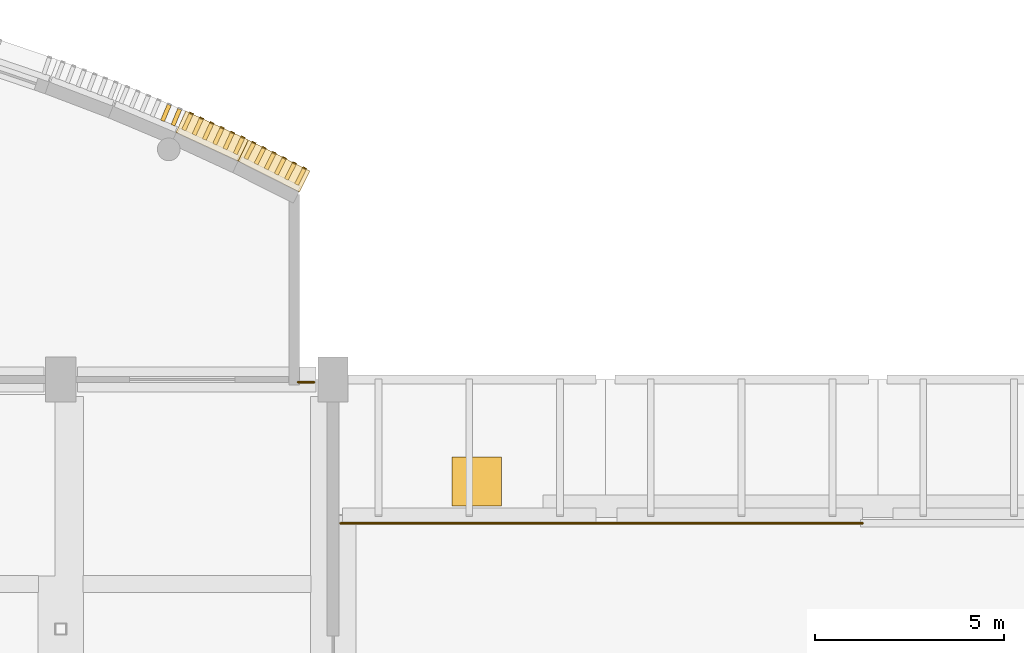
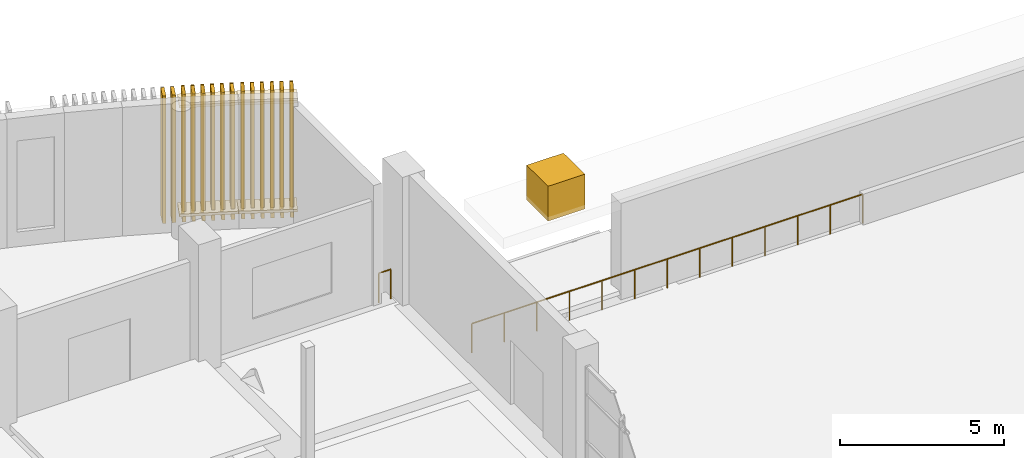
# One storey, part 77 of 82: 17 coverings, 14 shading devices, 2 railings.
"""IFC4 building model written with IfcOpenShell, lengths in metres."""

from ifc_helpers import new_model, si_unit, direction, frame, origin, origin_2d, place, context, subcontext, project, spatial, polyline, rectangle, circle, outline, extrude, material, layer, layer_set, type_object, element, save


model = new_model("IFC4")

# Units and contexts
model_context = context("Model", 3, precision=1e-05, world=origin(), true_north=direction((0.0, 1.0)))
body_context = subcontext(model_context, "Body", "Model", "MODEL_VIEW")
ifc_project = project(units=[si_unit("LENGTHUNIT", "METRE"), si_unit("AREAUNIT", "SQUARE_METRE"), si_unit("VOLUMEUNIT", "CUBIC_METRE"), si_unit("PLANEANGLEUNIT", "RADIAN"), si_unit("MASSUNIT", "GRAM", prefix="KILO")], contexts=[model_context])

# Site, building, storey
site_placement = place(None, origin())
site = spatial("IfcSite", under=ifc_project, at=site_placement, CompositionType="ELEMENT")
building_placement = place(site_placement, origin())
building = spatial("IfcBuilding", under=site, at=building_placement, Name="Sardonyx Promenade Sports Hall", CompositionType="ELEMENT")
storey_placement = place(building_placement, frame((0.0, 0.0, 11.199951171875)))
storey = spatial("IfcBuildingStorey", under=building, at=storey_placement, Name="L02", CompositionType="ELEMENT", Elevation=11.199951171875)

# Coverings
ifc_material_1 = material(Name="Dressed Cape red sandstone cornice", Category="masonry")
ifc_layer_1 = layer(ifc_material_1, 0.139892578125)
ifc_layer_set_1 = layer_set([ifc_layer_1], Name="Cov_Chhajja_Eave")
covering_type_1 = type_object("IfcCoveringType", Name="Cov_Chhajja_Eave", PredefinedType="MOLDING", material=ifc_layer_set_1)
covering_placement = place(storey_placement, frame((0.0, 0.0, 3.60009765625)))
element("IfcCovering", 1, at=covering_placement, inside=storey, type_object=covering_type_1, Name="Pishtaq guldasta corner finial W", PredefinedType="MOLDING", context=body_context, shape_type="SweptSolid", body=[
    extrude(outline(polyline([(82.35009765625, 101.050048828125), (83.64990234375, 101.050048828125), (83.64990234375, 102.35009765625), (82.35009765625, 102.35009765625), (82.35009765625, 101.050048828125)])), origin(), (0.0, 0.0, 1.0), 1.300048828125),
])
ifc_material_2 = material(Name="Glulam GL28h", Category="wood")
ifc_layer_2 = layer(ifc_material_2, 0.110107421875)
ifc_layer_set_2 = layer_set([ifc_layer_2], Name="Cov_Louvre_GL28h")
covering_type_2 = type_object("IfcCoveringType", Name="Cov_Louvre_GL28h", PredefinedType="MOLDING", material=ifc_layer_set_2)
for number, where, z_axis, x_axis, name in (
    (2, (76.00341796875, 110.8359375, 0.320068359375), (0.0, 0.0, 1.0), (0.90783091315, -0.419336419989, 0.0), "Bowed louvre carrier rail L02 CH27 #1"),
    (3, (76.00341796875, 110.8359375, 4.3798828125), (0.0, 0.0, 1.0), (0.90783091315, -0.419336419989, 0.0), "Bowed louvre carrier rail L02 CH27 #2"),
):
    element("IfcCovering", number, at=place(storey_placement, frame(where, z_axis=z_axis, x_axis=x_axis)), inside=storey, type_object=covering_type_2, Name=name, PredefinedType="MOLDING", context=body_context, shape_type="SweptSolid", body=[
        extrude(rectangle(XDim=1.820068359375, YDim=0.6201171875, at=origin_2d()), origin(), (0.0, 0.0, 1.0), 0.10009765625),
    ])
for number, where, z_axis, x_axis, name in (
    (4, (75.45263671875, 111.431884765625, 0.02001953125), (0.0, 0.0, 1.0), (0.90783091315, -0.419336419989, 0.0), "Timber louvre nose molding L02 CH27 #1"),
    (5, (75.724853515625, 111.30615234375, 0.02001953125), (0.0, 0.0, 1.0), (0.90783091315, -0.419336419989, 0.0), "Timber louvre nose molding L02 CH27 #2"),
    (6, (75.997314453125, 111.18017578125, 0.02001953125), (0.0, 0.0, 1.0), (0.90783091315, -0.419336419989, 0.0), "Timber louvre nose molding L02 CH27 #3"),
    (7, (76.269775390625, 111.054443359375, 0.02001953125), (0.0, 0.0, 1.0), (0.90783091315, -0.419336419989, 0.0), "Timber louvre nose molding L02 CH27 #4"),
    (8, (76.5419921875, 110.9287109375, 0.02001953125), (0.0, 0.0, 1.0), (0.90783091315, -0.419336419989, 0.0), "Timber louvre nose molding L02 CH27 #5"),
    (9, (76.814453125, 110.802734375, 0.02001953125), (0.0, 0.0, 1.0), (0.90783091315, -0.419336419989, 0.0), "Timber louvre nose molding L02 CH27 #6"),
):
    element("IfcCovering", number, at=place(storey_placement, frame(where, z_axis=z_axis, x_axis=x_axis)), inside=storey, type_object=covering_type_2, Name=name, PredefinedType="MOLDING", context=body_context, shape_type="SweptSolid", body=[
        extrude(rectangle(XDim=0.110107421875, YDim=0.0400390625, at=origin_2d()), origin(), (0.0, 0.0, 1.0), 4.760009765625),
    ])
for number, where, z_axis, x_axis, name in (
    (10, (77.638916015625, 110.0458984375, 0.320068359375), (0.0, 0.0, 1.0), (0.892773817004, -0.450505173857, 0.0), "Bowed louvre carrier rail L02 CH28 #1"),
    (11, (77.638916015625, 110.0458984375, 4.3798828125), (0.0, 0.0, 1.0), (0.892773817004, -0.450505173857, 0.0), "Bowed louvre carrier rail L02 CH28 #2"),
):
    element("IfcCovering", number, at=place(storey_placement, frame(where, z_axis=z_axis, x_axis=x_axis)), inside=storey, type_object=covering_type_2, Name=name, PredefinedType="MOLDING", context=body_context, shape_type="SweptSolid", body=[
        extrude(rectangle(XDim=1.820068359375, YDim=0.6201171875, at=origin_2d()), origin(), (0.0, 0.0, 1.0), 0.10009765625),
    ])
for number, where, z_axis, x_axis, name in (
    (12, (77.109130859375, 110.660400390625, 0.02001953125), (0.0, 0.0, 1.0), (0.892773817004, -0.450505173857, 0.0), "Timber louvre nose molding L02 CH28 #1"),
    (13, (77.376953125, 110.525390625, 0.02001953125), (0.0, 0.0, 1.0), (0.892773817004, -0.450505173857, 0.0), "Timber louvre nose molding L02 CH28 #2"),
    (14, (77.644775390625, 110.39013671875, 0.02001953125), (0.0, 0.0, 1.0), (0.892773817004, -0.450505173857, 0.0), "Timber louvre nose molding L02 CH28 #3"),
    (15, (77.91259765625, 110.2548828125, 0.02001953125), (0.0, 0.0, 1.0), (0.892773817004, -0.450505173857, 0.0), "Timber louvre nose molding L02 CH28 #4"),
    (16, (78.180419921875, 110.119873046875, 0.02001953125), (0.0, 0.0, 1.0), (0.892773817004, -0.450505173857, 0.0), "Timber louvre nose molding L02 CH28 #5"),
    (17, (78.4482421875, 109.984619140625, 0.02001953125), (0.0, 0.0, 1.0), (0.892773817004, -0.450505173857, 0.0), "Timber louvre nose molding L02 CH28 #6"),
):
    element("IfcCovering", number, at=place(storey_placement, frame(where, z_axis=z_axis, x_axis=x_axis)), inside=storey, type_object=covering_type_2, Name=name, PredefinedType="MOLDING", context=body_context, shape_type="SweptSolid", body=[
        extrude(rectangle(XDim=0.110107421875, YDim=0.0400390625, at=origin_2d()), origin(), (0.0, 0.0, 1.0), 4.760009765625),
    ])

# Railings
ifc_material_3 = material(Name="Galvanised and powder-coated Steel S355JR", Category="steel")
railing_type_1 = type_object("IfcRailingType", Name="Rail_Ext_Guard_1100", PredefinedType="GUARDRAIL", material=ifc_material_3)
railing_1_placement = place(storey_placement, frame((79.39990234375, 100.60009765625, 0.0)))
element("IfcRailing", 18, at=railing_1_placement, inside=storey, type_object=railing_type_1, Name="Terrace guardrail GR01 L02 #1", PredefinedType="GUARDRAIL", context=body_context, shape_type="SweptSolid", body=[
    extrude(circle(Radius=0.02392578125, at=origin_2d()), frame((0.0, 0.0, 1.0810546875), z_axis=(1.0, 0.0, 0.0), x_axis=(0.0, 1.0, 0.0)), (0.0, 0.0, 1.0), 13.800048828125),
    extrude(circle(Radius=0.02099609375, at=origin_2d()), origin(), (0.0, 0.0, 1.0), 1.056884765625),
    extrude(circle(Radius=0.02099609375, at=origin_2d()), frame((1.14990234375, 0.0, 0.0)), (0.0, 0.0, 1.0), 1.056884765625),
    extrude(circle(Radius=0.02099609375, at=origin_2d()), frame((2.300048828125, 0.0, 0.0)), (0.0, 0.0, 1.0), 1.056884765625),
    extrude(circle(Radius=0.02099609375, at=origin_2d()), frame((3.449951171875, 0.0, 0.0)), (0.0, 0.0, 1.0), 1.056884765625),
    extrude(circle(Radius=0.02099609375, at=origin_2d()), frame((4.60009765625, 0.0, 0.0)), (0.0, 0.0, 1.0), 1.056884765625),
    extrude(circle(Radius=0.02099609375, at=origin_2d()), frame((5.75, 0.0, 0.0)), (0.0, 0.0, 1.0), 1.056884765625),
    extrude(circle(Radius=0.02099609375, at=origin_2d()), frame((6.89990234375, 0.0, 0.0)), (0.0, 0.0, 1.0), 1.056884765625),
    extrude(circle(Radius=0.02099609375, at=origin_2d()), frame((8.050048828125, 0.0, 0.0)), (0.0, 0.0, 1.0), 1.056884765625),
    extrude(circle(Radius=0.02099609375, at=origin_2d()), frame((9.199951171875, 0.0, 0.0)), (0.0, 0.0, 1.0), 1.056884765625),
    extrude(circle(Radius=0.02099609375, at=origin_2d()), frame((10.35009765625, 0.0, 0.0)), (0.0, 0.0, 1.0), 1.056884765625),
    extrude(circle(Radius=0.02099609375, at=origin_2d()), frame((11.5, 0.0, 0.0)), (0.0, 0.0, 1.0), 1.056884765625),
    extrude(circle(Radius=0.02099609375, at=origin_2d()), frame((12.650146484375, 0.0, 0.0)), (0.0, 0.0, 1.0), 1.056884765625),
    extrude(circle(Radius=0.02099609375, at=origin_2d()), frame((13.800048828125, 0.0, 0.0)), (0.0, 0.0, 1.0), 1.056884765625),
])
ifc_material_4 = material(Name="Powder-coated Steel S355JR", Category="steel")
railing_type_2 = type_object("IfcRailingType", Name="Rail_Int_Guard_1100", PredefinedType="GUARDRAIL", material=ifc_material_4)
railing_2_placement = place(storey_placement, frame((78.699951171875, 104.330078125, 0.0)))
element("IfcRailing", 19, at=railing_2_placement, inside=storey, type_object=railing_type_2, Name="Deck-edge guardrail GR02 L02 #48", PredefinedType="GUARDRAIL", context=body_context, shape_type="SweptSolid", body=[
    extrude(circle(Radius=0.02392578125, at=origin_2d()), frame((0.0, 0.0, 1.09619140625), z_axis=(-1.0, 0.0, 0.0), x_axis=(0.0, -1.0, 0.0)), (0.0, 0.0, 1.0), 0.423583984375),
    extrude(circle(Radius=0.02099609375, at=origin_2d()), origin(), (0.0, 0.0, 1.0), 1.072021484375),
    extrude(circle(Radius=0.02099609375, at=origin_2d()), frame((-0.423583984375, 0.0, 0.0)), (0.0, 0.0, 1.0), 1.072021484375),
])

# Shading devices
ifc_material_5 = material(Name="Glulam GL28h", Category="wood")
shading_device_type = type_object("IfcShadingDeviceType", Name="Shade_Louvre_GL28h", PredefinedType="USERDEFINED", material=ifc_material_5)
for number, where, z_axis, x_axis, name in (
    (20, (74.779693, 111.449768, 0.020049), (0.0, 0.0, 1.0), (0.92180024, -0.38766521, 0.0), "Timber louvre TL01 L02 CH26 #5"),
    (21, (75.056233, 111.333468, 0.020049), (0.0, 0.0, 1.0), (0.92180024, -0.38766521, 0.0), "Timber louvre TL01 L02 CH26 #6"),
    (22, (75.34778, 111.204874, 0.020049), (0.0, 0.0, 1.0), (0.90783091, -0.41933642, 0.0), "Timber louvre TL01 L02 CH27 #1"),
    (23, (75.620129, 111.079074, 0.020049), (0.0, 0.0, 1.0), (0.90783091, -0.41933642, 0.0), "Timber louvre TL01 L02 CH27 #2"),
    (24, (75.892479, 110.953273, 0.020049), (0.0, 0.0, 1.0), (0.90783091, -0.41933642, 0.0), "Timber louvre TL01 L02 CH27 #3"),
    (25, (76.164828, 110.827472, 0.020049), (0.0, 0.0, 1.0), (0.90783091, -0.41933642, 0.0), "Timber louvre TL01 L02 CH27 #4"),
    (26, (76.437177, 110.701671, 0.020049), (0.0, 0.0, 1.0), (0.90783091, -0.41933642, 0.0), "Timber louvre TL01 L02 CH27 #5"),
    (27, (76.709527, 110.57587, 0.020049), (0.0, 0.0, 1.0), (0.90783091, -0.41933642, 0.0), "Timber louvre TL01 L02 CH27 #6"),
    (28, (76.996449, 110.437263, 0.020049), (0.0, 0.0, 1.0), (0.89277382, -0.45050517, 0.0), "Timber louvre TL01 L02 CH28 #1"),
    (29, (77.264281, 110.302112, 0.020049), (0.0, 0.0, 1.0), (0.89277382, -0.45050517, 0.0), "Timber louvre TL01 L02 CH28 #2"),
    (30, (77.532113, 110.16696, 0.020049), (0.0, 0.0, 1.0), (0.89277382, -0.45050517, 0.0), "Timber louvre TL01 L02 CH28 #3"),
    (31, (77.799945, 110.031809, 0.020049), (0.0, 0.0, 1.0), (0.89277382, -0.45050517, 0.0), "Timber louvre TL01 L02 CH28 #4"),
    (32, (78.067777, 109.896657, 0.020049), (0.0, 0.0, 1.0), (0.89277382, -0.45050517, 0.0), "Timber louvre TL01 L02 CH28 #5"),
    (33, (78.33561, 109.761506, 0.020049), (0.0, 0.0, 1.0), (0.89277382, -0.45050517, 0.0), "Timber louvre TL01 L02 CH28 #6"),
):
    element("IfcShadingDevice", number, at=place(storey_placement, frame(where, z_axis=z_axis, x_axis=x_axis)), inside=storey, type_object=shading_device_type, material=ifc_material_5, Name=name, ObjectType="LOUVRE", PredefinedType="USERDEFINED", context=body_context, shape_type="SweptSolid", body=[
        extrude(rectangle(XDim=0.11, YDim=0.46), origin(), (0.0, 0.0, 1.0), 4.76),
    ])

save(model, "model.ifc")
